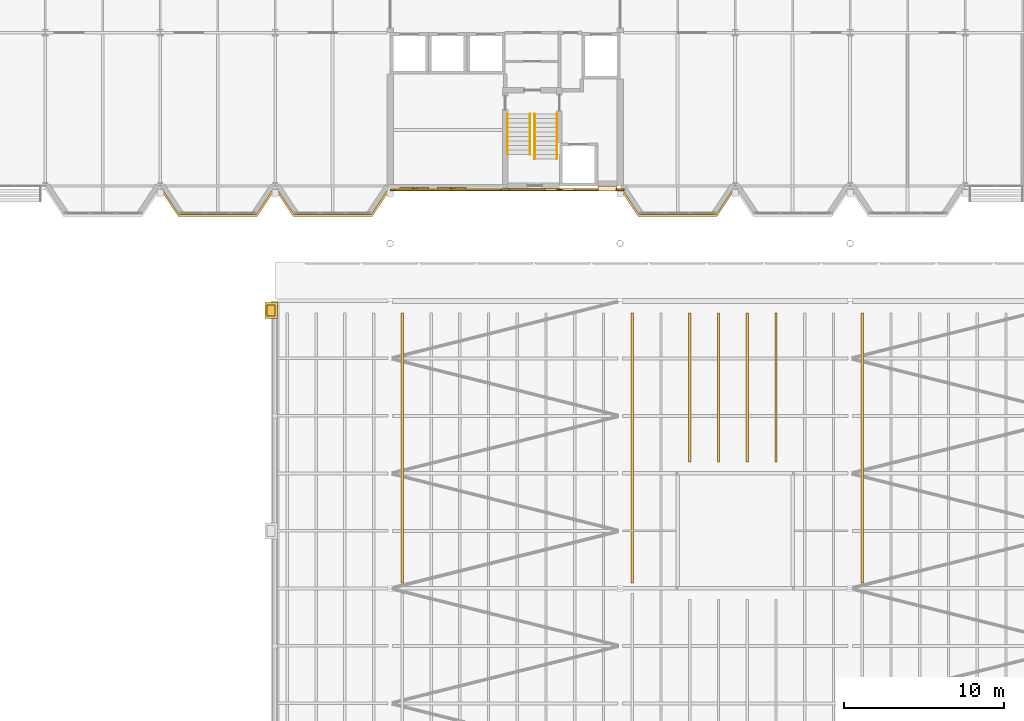
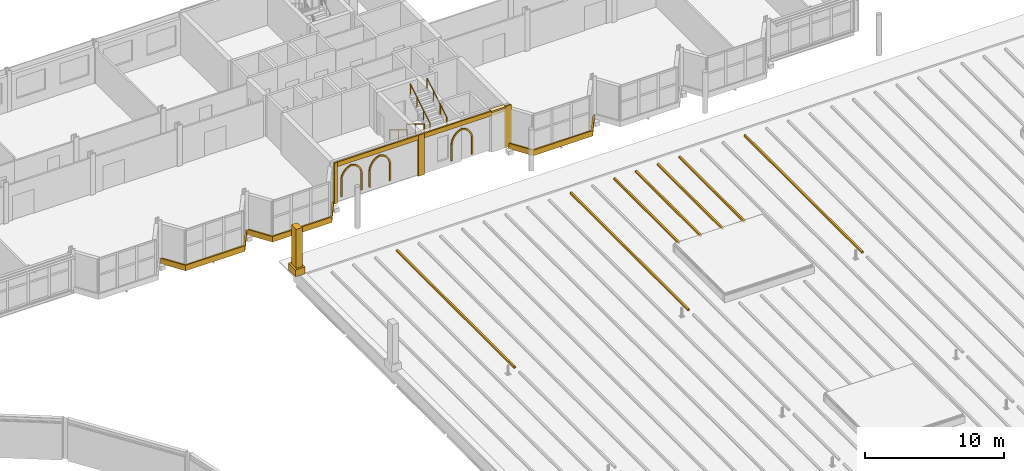
# One storey, part 114 of 120: 21 coverings, 4 railings.
"""IFC4 building model written with IfcOpenShell, lengths in metres."""

from ifc_helpers import new_model, si_unit, direction, frame, origin, origin_2d, place, context, subcontext, project, spatial, polyline, rectangle, circle, outline, extrude, material, layer, layer_set, type_object, element, save


model = new_model("IFC4")

# Units and contexts
model_context = context("Model", 3, precision=1e-05, world=origin(), true_north=direction((0.0, 1.0)))
body_context = subcontext(model_context, "Body", "Model", "MODEL_VIEW")
ifc_project = project(units=[si_unit("LENGTHUNIT", "METRE"), si_unit("AREAUNIT", "SQUARE_METRE"), si_unit("VOLUMEUNIT", "CUBIC_METRE"), si_unit("PLANEANGLEUNIT", "RADIAN"), si_unit("MASSUNIT", "GRAM", prefix="KILO")], contexts=[model_context])

# Site, building, storey
site_placement = place(None, origin())
site = spatial("IfcSite", under=ifc_project, at=site_placement, CompositionType="ELEMENT")
building_placement = place(site_placement, origin())
building = spatial("IfcBuilding", under=site, at=building_placement, Name="Kupolbacken Congress Centre", CompositionType="ELEMENT")
storey_placement = place(building_placement, frame((0.0, 0.0, 21.60009765625)))
storey = spatial("IfcBuildingStorey", under=building, at=storey_placement, Name="L06", CompositionType="ELEMENT", Elevation=21.60009765625)

# Coverings
ifc_material_1 = material(Name="Limestone cladding", Category="masonry")
ifc_layer_1 = layer(ifc_material_1, 0.1201171875)
ifc_layer_set_1 = layer_set([ifc_layer_1], Name="Limestone cladding")
covering_type_1 = type_object("IfcCoveringType", Name="CV1 limestone cladding band 120", PredefinedType="CLADDING", material=ifc_layer_set_1)
covering_1_placement = place(storey_placement, frame((0.0, 0.0, -0.2001953125)))
element("IfcCovering", 1, at=covering_1_placement, inside=storey, type_object=covering_type_1, Name="E/T/belt/L06/S/108", PredefinedType="CLADDING", context=body_context, shape_type="SweptSolid", body=[
    extrude(outline(polyline([(115.177490234375, 122.14990234375), (115.033203125, 122.14990234375), (114.0, 120.60009765625), (109.199951171875, 120.60009765625), (108.166748046875, 122.14990234375), (108.0224609375, 122.14990234375), (109.1357421875, 120.47998046875), (114.064208984375, 120.47998046875), (115.177490234375, 122.14990234375)])), origin(), (0.0, 0.0, 1.0), 0.47998046875),
])
covering_2_placement = place(storey_placement, frame((0.0, 0.0, -0.2001953125)))
element("IfcCovering", 2, at=covering_2_placement, inside=storey, type_object=covering_type_1, Name="E/T/belt/L06/S/79.2", PredefinedType="CLADDING", context=body_context, shape_type="SweptSolid", body=[
    extrude(outline(polyline([(86.377685546875, 122.14990234375), (86.2333984375, 122.14990234375), (85.199951171875, 120.60009765625), (80.39990234375, 120.60009765625), (79.36669921875, 122.14990234375), (79.222412109375, 122.14990234375), (80.335693359375, 120.47998046875), (85.26416015625, 120.47998046875), (86.377685546875, 122.14990234375)])), origin(), (0.0, 0.0, 1.0), 0.47998046875),
])
covering_3_placement = place(storey_placement, frame((0.0, 0.0, -0.2001953125)))
element("IfcCovering", 3, at=covering_3_placement, inside=storey, type_object=covering_type_1, Name="E/T/belt/L06/S/86.4", PredefinedType="CLADDING", context=body_context, shape_type="SweptSolid", body=[
    extrude(outline(polyline([(93.57763671875, 122.14990234375), (93.433349609375, 122.14990234375), (92.39990234375, 120.60009765625), (87.60009765625, 120.60009765625), (86.566650390625, 122.14990234375), (86.42236328125, 122.14990234375), (87.535888671875, 120.47998046875), (92.464111328125, 120.47998046875), (93.57763671875, 122.14990234375)])), origin(), (0.0, 0.0, 1.0), 0.47998046875),
])
covering_4_placement = place(storey_placement, frame((107.199951171875, 122.2451171875, 3.4599609375), z_axis=(0.0, 0.0, 1.0), x_axis=(1.0, 0.0, 0.0)))
element("IfcCovering", 4, at=covering_4_placement, inside=storey, type_object=covering_type_1, Name="E/T/S/L06/094/band", PredefinedType="CLADDING", context=body_context, shape_type="SweptSolid", body=[
    extrude(rectangle(XDim=1.199951171875, YDim=0.31005859375, at=origin_2d()), origin(), (0.0, 0.0, 1.0), 0.139892578125),
])
ifc_material_2 = material(Name="Standing seam zinc roofing on boarding", Category="metal")
ifc_layer_2 = layer(ifc_material_2, 0.080078125)
ifc_layer_set_2 = layer_set([ifc_layer_2], Name="Standing seam zinc roofing on boarding")
covering_type_2 = type_object("IfcCoveringType", Name="CV12 standing seam roof rib 80", PredefinedType="ROOFING", material=ifc_layer_set_2)
for number, where, z_axis, x_axis, name in (
    (5, (94.360107421875, 105.9853515625, 0.27001953125), (0.0, 0.0, 1.0), (0.0, 1.0, 0.0), "F/HR/rib/04/4"),
    (6, (108.760009765625, 105.9853515625, 0.27001953125), (0.0, 0.0, 1.0), (0.0, 1.0, 0.0), "F/HR/rib/12/4"),
):
    element("IfcCovering", number, at=place(storey_placement, frame(where, z_axis=z_axis, x_axis=x_axis)), inside=storey, type_object=covering_type_2, Name=name, PredefinedType="ROOFING", context=body_context, shape_type="SweptSolid", body=[
        extrude(rectangle(XDim=16.9091796875, YDim=0.14990234375, at=origin_2d()), origin(), (0.0, 0.0, 1.0), 0.14990234375),
    ])
for number, where, z_axis, x_axis, name in (
    (7, (112.360107421875, 109.77490234375, 0.27001953125), (0.0, 0.0, 1.0), (0.0, 1.0, 0.0), "F/HR/rib/14/3"),
    (8, (114.159912109375, 109.77490234375, 0.27001953125), (0.0, 0.0, 1.0), (0.0, 1.0, 0.0), "F/HR/rib/15/3"),
    (9, (115.9599609375, 109.77490234375, 0.27001953125), (0.0, 0.0, 1.0), (0.0, 1.0, 0.0), "F/HR/rib/16/3"),
    (10, (117.760009765625, 109.77490234375, 0.27001953125), (0.0, 0.0, 1.0), (0.0, 1.0, 0.0), "F/HR/rib/17/3"),
):
    element("IfcCovering", number, at=place(storey_placement, frame(where, z_axis=z_axis, x_axis=x_axis)), inside=storey, type_object=covering_type_2, Name=name, PredefinedType="ROOFING", context=body_context, shape_type="SweptSolid", body=[
        extrude(rectangle(XDim=9.330078125, YDim=0.14990234375, at=origin_2d()), origin(), (0.0, 0.0, 1.0), 0.14990234375),
    ])
covering_5_placement = place(storey_placement, frame((123.159912109375, 105.9853515625, 0.27001953125), z_axis=(0.0, 0.0, 1.0), x_axis=(0.0, 1.0, 0.0)))
element("IfcCovering", 11, at=covering_5_placement, inside=storey, type_object=covering_type_2, Name="F/HR/rib/20/4", PredefinedType="ROOFING", context=body_context, shape_type="SweptSolid", body=[
    extrude(rectangle(XDim=16.9091796875, YDim=0.14990234375, at=origin_2d()), origin(), (0.0, 0.0, 1.0), 0.14990234375),
])
ifc_material_3 = material(Name="Brick cladding", Category="masonry")
ifc_layer_3 = layer(ifc_material_3, 0.10791015625)
ifc_layer_set_3 = layer_set([ifc_layer_3], Name="Brick cladding")
covering_type_3 = type_object("IfcCoveringType", Name="CV2 brick cladding band 108", PredefinedType="CLADDING", material=ifc_layer_set_3)
covering_6_placement = place(storey_placement, frame((93.72509765625, 122.1650390625, -0.000244140625), z_axis=(0.0, 0.0, 1.0), x_axis=(1.0, 0.0, 0.0)))
element("IfcCovering", 12, at=covering_6_placement, inside=storey, type_object=covering_type_3, Name="E/T/stripe/S/L06/pil93.6", PredefinedType="CLADDING", context=body_context, shape_type="SweptSolid", body=[
    extrude(rectangle(XDim=0.25, YDim=0.1201171875, at=origin_2d()), origin(), (0.0, 0.0, 1.0), 3.60009765625),
])
for number, where, z_axis, x_axis, name in (
    (13, (100.800048828125, 122.1650390625, -0.000244140625), (0.0, 0.0, 1.0), (1.0, 0.0, 0.0), "E/T/stripe/S/L06/pil100.8"),
    (14, (108.0, 122.1650390625, -0.000244140625), (0.0, 0.0, 1.0), (1.0, 0.0, 0.0), "E/T/stripe/S/L06/pil108"),
):
    element("IfcCovering", number, at=place(storey_placement, frame(where, z_axis=z_axis, x_axis=x_axis)), inside=storey, type_object=covering_type_3, Name=name, PredefinedType="CLADDING", context=body_context, shape_type="SweptSolid", body=[
        extrude(rectangle(XDim=0.5, YDim=0.1201171875, at=origin_2d()), origin(), (0.0, 0.0, 1.0), 3.60009765625),
    ])
covering_7_placement = place(storey_placement, frame((97.199951171875, 122.1650390625, 3.199951171875), z_axis=(0.0, 0.0, 1.0), x_axis=(1.0, 0.0, 0.0)))
element("IfcCovering", 15, at=covering_7_placement, inside=storey, type_object=covering_type_3, Name="E/T/stripe/S/L06/belt93.6", PredefinedType="CLADDING", context=body_context, shape_type="SweptSolid", body=[
    extrude(rectangle(XDim=6.699951171875, YDim=0.1201171875, at=origin_2d()), origin(), (0.0, 0.0, 1.0), 0.39990234375),
])
covering_8_placement = place(storey_placement, frame((94.199951171875, 122.300048828125, 0.349853515625), z_axis=(0.0, -1.0, 0.0), x_axis=(1.0, 0.0, 0.0)))
element("IfcCovering", 16, at=covering_8_placement, inside=storey, type_object=covering_type_3, Name="E/T/stripe/S/L06/niche93.6/1", PredefinedType="CLADDING", context=body_context, shape_type="SweptSolid", body=[
    extrude(outline(polyline([(0.0, 0.0), (0.0, 1.43408203125), (0.00537109375, 1.54443359375), (0.021484375, 1.654052734375), (0.048095703125, 1.761474609375), (0.084716796875, 1.86572265625), (0.131591796875, 1.966064453125), (0.187744140625, 2.061279296875), (0.2529296875, 2.15087890625), (0.32666015625, 2.2333984375), (0.40771484375, 2.30859375), (0.495849609375, 2.37548828125), (0.590087890625, 2.433837890625), (0.689453125, 2.482421875), (0.793212890625, 2.521240234375), (0.89990234375, 2.550048828125), (1.0068359375, 2.521240234375), (1.110595703125, 2.482421875), (1.2099609375, 2.433837890625), (1.30419921875, 2.37548828125), (1.39208984375, 2.30859375), (1.473388671875, 2.2333984375), (1.547119140625, 2.15087890625), (1.6123046875, 2.061279296875), (1.66845703125, 1.966064453125), (1.715087890625, 1.86572265625), (1.751953125, 1.761474609375), (1.778564453125, 1.654052734375), (1.794677734375, 1.54443359375), (1.800048828125, 1.43408203125), (1.800048828125, 0.0), (1.679931640625, 0.0), (1.679931640625, 1.43408203125), (1.67529296875, 1.531005859375), (1.66162109375, 1.627197265625), (1.638671875, 1.7216796875), (1.60693359375, 1.8134765625), (1.566650390625, 1.90185546875), (1.51806640625, 1.986083984375), (1.461669921875, 2.065185546875), (1.398193359375, 2.138916015625), (1.327880859375, 2.205810546875), (1.25146484375, 2.26611328125), (1.169677734375, 2.318603515625), (1.08349609375, 2.36328125), (0.9931640625, 2.3994140625), (0.89990234375, 2.427001953125), (0.806884765625, 2.3994140625), (0.716552734375, 2.36328125), (0.63037109375, 2.318603515625), (0.548583984375, 2.26611328125), (0.47216796875, 2.205810546875), (0.40185546875, 2.138916015625), (0.33837890625, 2.065185546875), (0.281982421875, 1.986083984375), (0.2333984375, 1.90185546875), (0.193115234375, 1.8134765625), (0.161376953125, 1.7216796875), (0.138427734375, 1.627197265625), (0.12451171875, 1.531005859375), (0.1201171875, 1.43408203125), (0.1201171875, 0.0), (0.0, 0.0)])), origin(), (0.0, 0.0, 1.0), 0.080078125),
])
covering_9_placement = place(storey_placement, frame((96.550048828125, 122.300048828125, 0.349853515625), z_axis=(0.0, -1.0, 0.0), x_axis=(1.0, 0.0, 0.0)))
element("IfcCovering", 17, at=covering_9_placement, inside=storey, type_object=covering_type_3, Name="E/T/stripe/S/L06/niche93.6/2", PredefinedType="CLADDING", context=body_context, shape_type="SweptSolid", body=[
    extrude(outline(polyline([(0.0, 0.0), (0.0, 1.43408203125), (0.00537109375, 1.54443359375), (0.021484375, 1.654052734375), (0.048095703125, 1.761474609375), (0.084716796875, 1.86572265625), (0.131591796875, 1.966064453125), (0.187744140625, 2.061279296875), (0.2529296875, 2.15087890625), (0.32666015625, 2.2333984375), (0.40771484375, 2.30859375), (0.495849609375, 2.37548828125), (0.590087890625, 2.433837890625), (0.689453125, 2.482421875), (0.793212890625, 2.521240234375), (0.89990234375, 2.550048828125), (1.0068359375, 2.521240234375), (1.110595703125, 2.482421875), (1.2099609375, 2.433837890625), (1.30419921875, 2.37548828125), (1.39208984375, 2.30859375), (1.473388671875, 2.2333984375), (1.547119140625, 2.15087890625), (1.6123046875, 2.061279296875), (1.66845703125, 1.966064453125), (1.715087890625, 1.86572265625), (1.751953125, 1.761474609375), (1.778564453125, 1.654052734375), (1.794677734375, 1.54443359375), (1.800048828125, 1.43408203125), (1.800048828125, 0.0), (1.679931640625, 0.0), (1.679931640625, 1.43408203125), (1.67529296875, 1.531005859375), (1.66162109375, 1.627197265625), (1.638671875, 1.7216796875), (1.60693359375, 1.8134765625), (1.566650390625, 1.90185546875), (1.51806640625, 1.986083984375), (1.461669921875, 2.065185546875), (1.398193359375, 2.138916015625), (1.327880859375, 2.205810546875), (1.25146484375, 2.26611328125), (1.169677734375, 2.318603515625), (1.08349609375, 2.36328125), (0.9931640625, 2.3994140625), (0.89990234375, 2.427001953125), (0.806884765625, 2.3994140625), (0.716552734375, 2.36328125), (0.63037109375, 2.318603515625), (0.548583984375, 2.26611328125), (0.47216796875, 2.205810546875), (0.40185546875, 2.138916015625), (0.33837890625, 2.065185546875), (0.281982421875, 1.986083984375), (0.2333984375, 1.90185546875), (0.193115234375, 1.8134765625), (0.161376953125, 1.7216796875), (0.138427734375, 1.627197265625), (0.12451171875, 1.531005859375), (0.1201171875, 1.43408203125), (0.1201171875, 0.0), (0.0, 0.0)])), origin(), (0.0, 0.0, 1.0), 0.080078125),
])
covering_10_placement = place(storey_placement, frame((104.39990234375, 122.1650390625, 3.199951171875), z_axis=(0.0, 0.0, 1.0), x_axis=(1.0, 0.0, 0.0)))
element("IfcCovering", 18, at=covering_10_placement, inside=storey, type_object=covering_type_3, Name="E/T/stripe/S/L06/belt100.8", PredefinedType="CLADDING", context=body_context, shape_type="SweptSolid", body=[
    extrude(rectangle(XDim=6.699951171875, YDim=0.1201171875, at=origin_2d()), origin(), (0.0, 0.0, 1.0), 0.39990234375),
])
covering_11_placement = place(storey_placement, frame((103.300048828125, 122.22509765625, 0.349853515625), z_axis=(0.0, -1.0, 0.0), x_axis=(1.0, 0.0, 0.0)))
element("IfcCovering", 19, at=covering_11_placement, inside=storey, type_object=covering_type_3, Name="E/T/stripe/S/L06/niche100.8/1", PredefinedType="CLADDING", context=body_context, shape_type="SweptSolid", body=[
    extrude(outline(polyline([(0.0, 0.0), (0.0, 1.43408203125), (0.00537109375, 1.54443359375), (0.021484375, 1.654052734375), (0.048095703125, 1.761474609375), (0.084716796875, 1.86572265625), (0.131591796875, 1.966064453125), (0.187744140625, 2.061279296875), (0.2529296875, 2.15087890625), (0.32666015625, 2.2333984375), (0.40771484375, 2.30859375), (0.495849609375, 2.37548828125), (0.590087890625, 2.433837890625), (0.689453125, 2.482421875), (0.793212890625, 2.521240234375), (0.89990234375, 2.550048828125), (1.0068359375, 2.521240234375), (1.110595703125, 2.482421875), (1.2099609375, 2.433837890625), (1.30419921875, 2.37548828125), (1.39208984375, 2.30859375), (1.473388671875, 2.2333984375), (1.547119140625, 2.15087890625), (1.6123046875, 2.061279296875), (1.66845703125, 1.966064453125), (1.715087890625, 1.86572265625), (1.751953125, 1.761474609375), (1.778564453125, 1.654052734375), (1.794677734375, 1.54443359375), (1.800048828125, 1.43408203125), (1.800048828125, 0.0), (1.679931640625, 0.0), (1.679931640625, 1.43408203125), (1.67529296875, 1.531005859375), (1.66162109375, 1.627197265625), (1.638671875, 1.7216796875), (1.60693359375, 1.8134765625), (1.566650390625, 1.90185546875), (1.51806640625, 1.986083984375), (1.461669921875, 2.065185546875), (1.398193359375, 2.138916015625), (1.327880859375, 2.205810546875), (1.25146484375, 2.26611328125), (1.169677734375, 2.318603515625), (1.08349609375, 2.36328125), (0.9931640625, 2.3994140625), (0.89990234375, 2.427001953125), (0.806884765625, 2.3994140625), (0.716552734375, 2.36328125), (0.63037109375, 2.318603515625), (0.548583984375, 2.26611328125), (0.47216796875, 2.205810546875), (0.40185546875, 2.138916015625), (0.33837890625, 2.065185546875), (0.281982421875, 1.986083984375), (0.2333984375, 1.90185546875), (0.193115234375, 1.8134765625), (0.161376953125, 1.7216796875), (0.138427734375, 1.627197265625), (0.12451171875, 1.531005859375), (0.1201171875, 1.43408203125), (0.1201171875, 0.0), (0.0, 0.0)])), origin(), (0.0, 0.0, 1.0), 0.080078125),
])
ifc_material_4 = material(Name="Limestone cladding", Category="masonry")
ifc_layer_4 = layer(ifc_material_4, 0.5)
ifc_layer_set_4 = layer_set([ifc_layer_4], Name="Limestone cladding")
covering_type_4 = type_object("IfcCoveringType", Name="CV8 limestone drum pier 500", PredefinedType="CLADDING", material=ifc_layer_set_4)
covering_12_placement = place(storey_placement, frame((86.14990234375, 114.60009765625, 1.249755859375), z_axis=(0.0, 0.0, 1.0), x_axis=(0.0, 1.0, 0.0)))
element("IfcCovering", 20, at=covering_12_placement, inside=storey, type_object=covering_type_4, Name="F/HR/pin/W/03/base", PredefinedType="CLADDING", context=body_context, shape_type="SweptSolid", body=[
    extrude(rectangle(XDim=1.0, YDim=0.800048828125, at=origin_2d()), origin(), (0.0, 0.0, 1.0), 0.60009765625),
])
covering_13_placement = place(storey_placement, frame((86.14990234375, 114.60009765625, 1.849853515625), z_axis=(0.0, 0.0, 1.0), x_axis=(0.0, 1.0, 0.0)))
element("IfcCovering", 21, at=covering_13_placement, inside=storey, type_object=covering_type_4, Name="F/HR/pin/W/03/shaft", PredefinedType="CLADDING", context=body_context, shape_type="SweptSolid", body=[
    extrude(rectangle(XDim=0.699951171875, YDim=0.5, at=origin_2d()), origin(), (0.0, 0.0, 1.0), 3.39990234375),
])

# Railings
ifc_material_5 = material(Name="Steel S235", Category="steel")
railing_type = type_object("IfcRailingType", Name="RL3 handrail wall-mounted 900", PredefinedType="HANDRAIL", material=ifc_material_5)
for number, where, name in (
    (22, (102.35009765625, 126.89501953125, 0.17138671875), "C/stair/TS1/L06/HR1L"),
    (23, (100.949951171875, 126.89501953125, 0.17138671875), "C/stair/TS1/L06/HR1R"),
):
    element("IfcRailing", number, at=place(storey_placement, frame(where)), inside=storey, type_object=railing_type, Name=name, PredefinedType="HANDRAIL", context=body_context, shape_type="SweptSolid", body=[
        extrude(circle(Radius=0.02392578125, at=origin_2d()), frame((0.0, 0.0, 0.8759765625), z_axis=(0.0, -0.852873080145, 0.522118290393), x_axis=(1.0, 0.0, 0.0)), (0.0, 0.0, 1.0), 2.954833984375),
        extrude(circle(Radius=0.02099609375, at=origin_2d()), origin(), (0.0, 0.0, 1.0), 0.851806640625),
        extrude(circle(Radius=0.02099609375, at=origin_2d()), frame((0.0, -1.260009765625, 0.771484375)), (0.0, 0.0, 1.0), 0.851806640625),
        extrude(circle(Radius=0.02099609375, at=origin_2d()), frame((0.0, -2.52001953125, 1.542724609375)), (0.0, 0.0, 1.0), 0.851806640625),
    ])
for number, where, name in (
    (24, (102.64990234375, 124.094970703125, 1.885498046875), "C/stair/TS1/L06/HR2L"),
    (25, (104.050048828125, 124.094970703125, 1.885498046875), "C/stair/TS1/L06/HR2R"),
):
    element("IfcRailing", number, at=place(storey_placement, frame(where)), inside=storey, type_object=railing_type, Name=name, PredefinedType="HANDRAIL", context=body_context, shape_type="SweptSolid", body=[
        extrude(circle(Radius=0.02392578125, at=origin_2d()), frame((0.0, 0.0, 0.8759765625), z_axis=(0.0, 0.852845897599, 0.522162690116), x_axis=(-1.0, 0.0, 0.0)), (0.0, 0.0, 1.0), 3.283203125),
        extrude(circle(Radius=0.02099609375, at=origin_2d()), origin(), (0.0, 0.0, 1.0), 0.851806640625),
        extrude(circle(Radius=0.02099609375, at=origin_2d()), frame((0.0, 0.933349609375, 0.571533203125)), (0.0, 0.0, 1.0), 0.851806640625),
        extrude(circle(Radius=0.02099609375, at=origin_2d()), frame((0.0, 1.86669921875, 1.142822265625)), (0.0, 0.0, 1.0), 0.851806640625),
        extrude(circle(Radius=0.02099609375, at=origin_2d()), frame((0.0, 2.800048828125, 1.71435546875)), (0.0, 0.0, 1.0), 0.851806640625),
    ])

save(model, "model.ifc")
